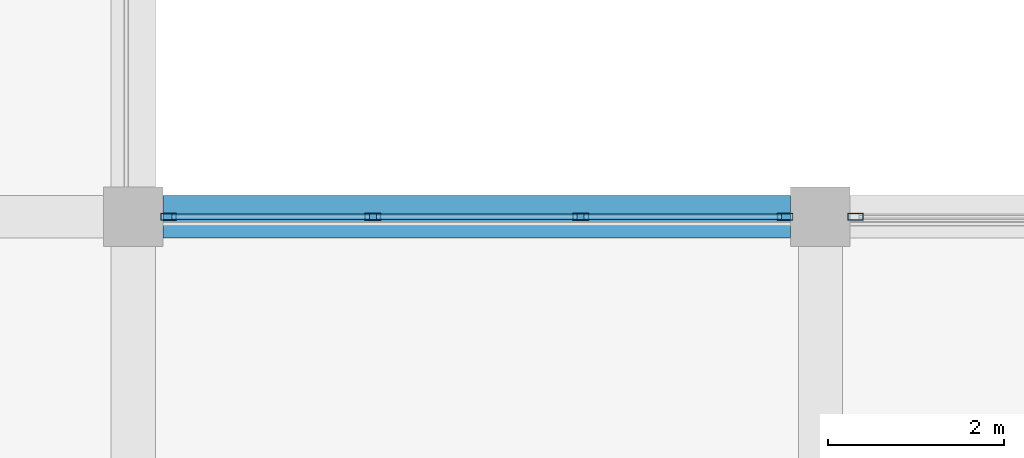
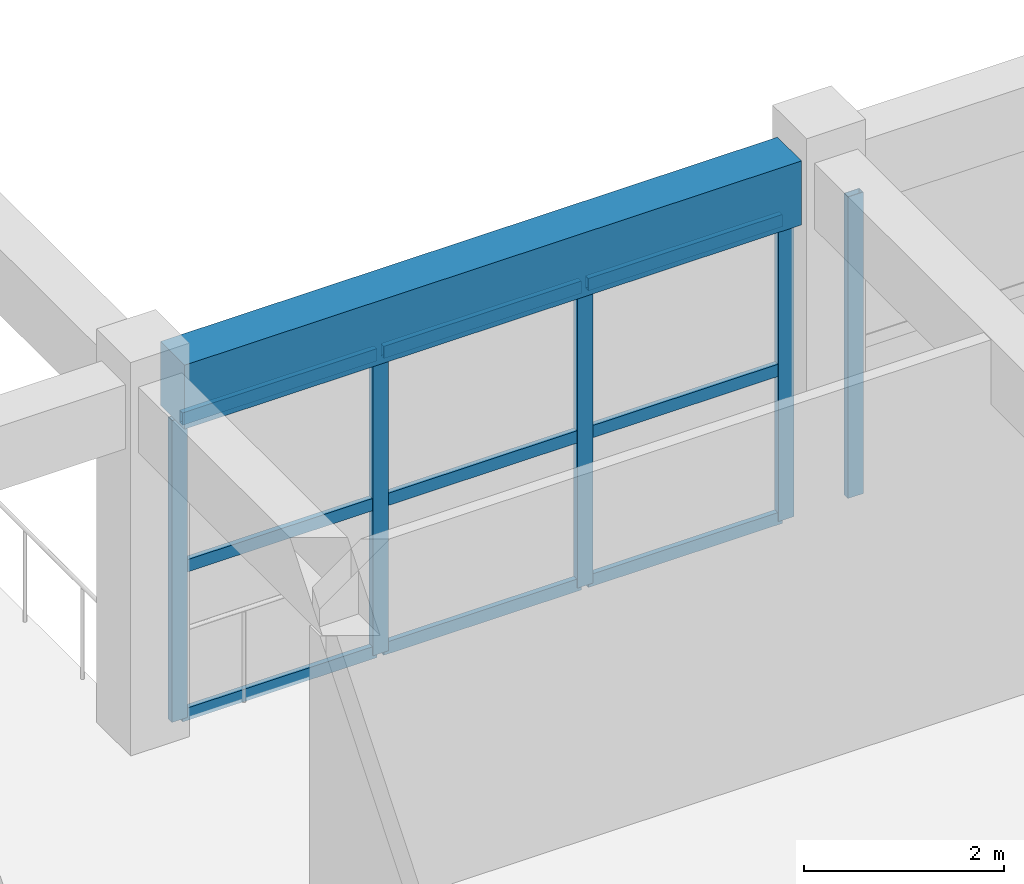
# One storey, part 100 of 175: 14 members, 1 beam, 2 elements without a shape of their own.
"""IFC4 building model written with IfcOpenShell, lengths in metres."""

from ifc_helpers import new_model, si_unit, direction, frame, origin, origin_2d, place, context, subcontext, project, spatial, rectangle, hollow_rectangle, extrude, material, layer, layer_set, material_profile, profile_set, type_object, element, aggregate, save


model = new_model("IFC4")

# Units and contexts
model_context = context("Model", 3, precision=1e-05, world=origin(), true_north=direction((0.0, 1.0)))
body_context = subcontext(model_context, "Body", "Model", "MODEL_VIEW")
ifc_project = project(units=[si_unit("LENGTHUNIT", "METRE"), si_unit("AREAUNIT", "SQUARE_METRE"), si_unit("VOLUMEUNIT", "CUBIC_METRE"), si_unit("PLANEANGLEUNIT", "RADIAN"), si_unit("MASSUNIT", "GRAM", prefix="KILO")], contexts=[model_context])

# Site, building, storey
site_placement = place(None, origin())
site = spatial("IfcSite", under=ifc_project, at=site_placement, CompositionType="ELEMENT")
building_placement = place(site_placement, origin())
building = spatial("IfcBuilding", under=site, at=building_placement, Name="Zizhar Promenade General Hospital", CompositionType="ELEMENT")
storey_placement = place(building_placement, frame((0.0, 0.0, 4.800048828125)))
storey = spatial("IfcBuildingStorey", under=building, at=storey_placement, Name="L01", CompositionType="ELEMENT", Elevation=4.800048828125)

# Beam
ifc_material_1 = material(Name="Concrete C35/45", Category="concrete")
ifc_material_profile_1 = material_profile(ifc_material_1, rectangle(XDim=0.47998046875, YDim=0.780029296875, at=origin_2d()))
ifc_profile_set_1 = profile_set([ifc_material_profile_1], Name="Concrete C35/45")
beam_type = type_object("IfcBeamType", Name="BM-RC-480x780", PredefinedType="BEAM", material=ifc_profile_set_1)
beam_placement = place(storey_placement, frame((148.5400390625, 67.199951171875, 4.079833984375), z_axis=(1.0, 0.0, 0.0), x_axis=(0.0, 1.0, 0.0)))
element("IfcBeam", 1, at=beam_placement, inside=storey, type_object=beam_type, Name="Grid Beam X L01 (19-8)", PredefinedType="BEAM", context=body_context, shape_type="SweptSolid", body=[
    extrude(rectangle(XDim=0.47998046875, YDim=0.780029296875, at=origin_2d()), origin(), (0.0, 0.0, 1.0), 7.119873046875),
])

# Curtain wall, members
ifc_material_2 = material(Name="Anodised aluminium 6063-T6 and low-E glass", Category="aluminium")
ifc_layer = layer(ifc_material_2, 0.159912109375)
ifc_layer_set = layer_set([ifc_layer], Name="Anodised aluminium 6063-T6 and low-E glass")
curtain_wall_type = type_object("IfcCurtainWallType", Name="CW-CLN-CRT", PredefinedType="NOTDEFINED", material=ifc_layer_set)
curtain_wall_1_placement = place(storey_placement, origin())
curtain_wall_1 = element("IfcCurtainWall", 2, at=curtain_wall_1_placement, inside=storey, type_object=curtain_wall_type, Name="East Light Court South Glazing L01-19", PredefinedType="NOTDEFINED")
ifc_material_3 = material(Name="Anodised aluminium 6063-T6", Category="aluminium")
ifc_material_profile_2 = material_profile(ifc_material_3, hollow_rectangle(XDim=0.080078125, YDim=0.179931640625, WallThickness=0.0048828125, at=origin_2d()))
ifc_profile_set_2 = profile_set([ifc_material_profile_2], Name="Anodised aluminium 6063-T6")
member_type_1 = type_object("IfcMemberType", Name="CWM-ALU-180x80", PredefinedType="MULLION", material=ifc_profile_set_2)
member_1_placement = place(storey_placement, frame((148.60009765625, 67.199951171875, 0.0), z_axis=(0.0, 0.0, 1.0), x_axis=(0.0, 1.0, 0.0)))
member_1 = element("IfcMember", 3, at=member_1_placement, type_object=member_type_1, Name="CW-10 mullion 1", PredefinedType="MULLION", context=body_context, shape_type="SweptSolid", body=[
    extrude(hollow_rectangle(XDim=0.080078125, YDim=0.179931640625, WallThickness=0.0048828125, at=origin_2d()), origin(), (0.0, 0.0, 1.0), 3.679931640625),
])
member_2_placement = place(storey_placement, frame((150.919921875, 67.199951171875, 0.0), z_axis=(0.0, 0.0, 1.0), x_axis=(0.0, 1.0, 0.0)))
member_2 = element("IfcMember", 4, at=member_2_placement, type_object=member_type_1, Name="CW-10 mullion 2", PredefinedType="MULLION", context=body_context, shape_type="SweptSolid", body=[
    extrude(hollow_rectangle(XDim=0.080078125, YDim=0.179931640625, WallThickness=0.0048828125, at=origin_2d()), origin(), (0.0, 0.0, 1.0), 3.679931640625),
])
member_3_placement = place(storey_placement, frame((153.280029296875, 67.199951171875, 0.0), z_axis=(0.0, 0.0, 1.0), x_axis=(0.0, 1.0, 0.0)))
member_3 = element("IfcMember", 5, at=member_3_placement, type_object=member_type_1, Name="CW-10 mullion 3", PredefinedType="MULLION", context=body_context, shape_type="SweptSolid", body=[
    extrude(hollow_rectangle(XDim=0.080078125, YDim=0.179931640625, WallThickness=0.0048828125, at=origin_2d()), origin(), (0.0, 0.0, 1.0), 3.679931640625),
])
member_4_placement = place(storey_placement, frame((155.60009765625, 67.199951171875, 0.0), z_axis=(0.0, 0.0, 1.0), x_axis=(0.0, 1.0, 0.0)))
member_4 = element("IfcMember", 6, at=member_4_placement, type_object=member_type_1, Name="CW-10 mullion 4", PredefinedType="MULLION", context=body_context, shape_type="SweptSolid", body=[
    extrude(hollow_rectangle(XDim=0.080078125, YDim=0.179931640625, WallThickness=0.0048828125, at=origin_2d()), origin(), (0.0, 0.0, 1.0), 3.679931640625),
])

# Curtain wall, member
curtain_wall_2_placement = place(storey_placement, origin())
curtain_wall_2 = element("IfcCurtainWall", 7, at=curtain_wall_2_placement, inside=storey, type_object=curtain_wall_type, Name="East Light Court South Glazing L01-20", PredefinedType="NOTDEFINED")
member_5_placement = place(storey_placement, frame((156.39990234375, 67.199951171875, 0.0), z_axis=(0.0, 0.0, 1.0), x_axis=(0.0, 1.0, 0.0)))
member_5 = element("IfcMember", 8, at=member_5_placement, type_object=member_type_1, Name="CW-10 mullion 1", PredefinedType="MULLION", context=body_context, shape_type="SweptSolid", body=[
    extrude(hollow_rectangle(XDim=0.080078125, YDim=0.179931640625, WallThickness=0.0048828125, at=origin_2d()), origin(), (0.0, 0.0, 1.0), 3.679931640625),
])
aggregate(curtain_wall_2, [member_5])

# Member
ifc_material_4 = material(Name="Anodised aluminium 6063-T6", Category="aluminium")
ifc_material_profile_3 = material_profile(ifc_material_4, hollow_rectangle(XDim=0.06005859375, YDim=0.14990234375, WallThickness=0.00390625, at=origin_2d()))
ifc_profile_set_3 = profile_set([ifc_material_profile_3], Name="Anodised aluminium 6063-T6")
member_type_2 = type_object("IfcMemberType", Name="CWT-ALU-150x60", PredefinedType="USERDEFINED", material=ifc_profile_set_3)
member_6_placement = place(storey_placement, frame((148.639892578125, 67.199951171875, 0.030029296875), z_axis=(1.0, 0.0, 0.0), x_axis=(0.0, 1.0, 0.0)))
member_6 = element("IfcMember", 9, at=member_6_placement, type_object=member_type_2, Name="CW-10 transom 1.1", ObjectType="TRANSOM", PredefinedType="USERDEFINED", context=body_context, shape_type="SweptSolid", body=[
    extrude(hollow_rectangle(XDim=0.06005859375, YDim=0.14990234375, WallThickness=0.00390625, at=origin_2d()), origin(), (0.0, 0.0, 1.0), 2.239990234375),
])

member_7_placement = place(storey_placement, frame((148.639892578125, 67.199951171875, 1.83984375), z_axis=(1.0, 0.0, 0.0), x_axis=(0.0, 1.0, 0.0)))
member_7 = element("IfcMember", 10, at=member_7_placement, type_object=member_type_2, Name="CW-10 transom 1.2", ObjectType="TRANSOM", PredefinedType="USERDEFINED", context=body_context, shape_type="SweptSolid", body=[
    extrude(hollow_rectangle(XDim=0.06005859375, YDim=0.14990234375, WallThickness=0.00390625, at=origin_2d()), origin(), (0.0, 0.0, 1.0), 2.239990234375),
])

member_8_placement = place(storey_placement, frame((148.639892578125, 67.199951171875, 3.64990234375), z_axis=(1.0, 0.0, 0.0), x_axis=(0.0, 1.0, 0.0)))
member_8 = element("IfcMember", 11, at=member_8_placement, type_object=member_type_2, Name="CW-10 transom 1.3", ObjectType="TRANSOM", PredefinedType="USERDEFINED", context=body_context, shape_type="SweptSolid", body=[
    extrude(hollow_rectangle(XDim=0.06005859375, YDim=0.14990234375, WallThickness=0.00390625, at=origin_2d()), origin(), (0.0, 0.0, 1.0), 2.239990234375),
])

member_9_placement = place(storey_placement, frame((150.9599609375, 67.199951171875, 0.030029296875), z_axis=(1.0, 0.0, 0.0), x_axis=(0.0, 1.0, 0.0)))
member_9 = element("IfcMember", 12, at=member_9_placement, type_object=member_type_2, Name="CW-10 transom 2.1", ObjectType="TRANSOM", PredefinedType="USERDEFINED", context=body_context, shape_type="SweptSolid", body=[
    extrude(hollow_rectangle(XDim=0.06005859375, YDim=0.14990234375, WallThickness=0.00390625, at=origin_2d()), origin(), (0.0, 0.0, 1.0), 2.280029296875),
])

member_10_placement = place(storey_placement, frame((150.9599609375, 67.199951171875, 1.83984375), z_axis=(1.0, 0.0, 0.0), x_axis=(0.0, 1.0, 0.0)))
member_10 = element("IfcMember", 13, at=member_10_placement, type_object=member_type_2, Name="CW-10 transom 2.2", ObjectType="TRANSOM", PredefinedType="USERDEFINED", context=body_context, shape_type="SweptSolid", body=[
    extrude(hollow_rectangle(XDim=0.06005859375, YDim=0.14990234375, WallThickness=0.00390625, at=origin_2d()), origin(), (0.0, 0.0, 1.0), 2.280029296875),
])

member_11_placement = place(storey_placement, frame((150.9599609375, 67.199951171875, 3.64990234375), z_axis=(1.0, 0.0, 0.0), x_axis=(0.0, 1.0, 0.0)))
member_11 = element("IfcMember", 14, at=member_11_placement, type_object=member_type_2, Name="CW-10 transom 2.3", ObjectType="TRANSOM", PredefinedType="USERDEFINED", context=body_context, shape_type="SweptSolid", body=[
    extrude(hollow_rectangle(XDim=0.06005859375, YDim=0.14990234375, WallThickness=0.00390625, at=origin_2d()), origin(), (0.0, 0.0, 1.0), 2.280029296875),
])

member_12_placement = place(storey_placement, frame((153.320068359375, 67.199951171875, 0.030029296875), z_axis=(1.0, 0.0, 0.0), x_axis=(0.0, 1.0, 0.0)))
member_12 = element("IfcMember", 15, at=member_12_placement, type_object=member_type_2, Name="CW-10 transom 3.1", ObjectType="TRANSOM", PredefinedType="USERDEFINED", context=body_context, shape_type="SweptSolid", body=[
    extrude(hollow_rectangle(XDim=0.06005859375, YDim=0.14990234375, WallThickness=0.00390625, at=origin_2d()), origin(), (0.0, 0.0, 1.0), 2.239990234375),
])

member_13_placement = place(storey_placement, frame((153.320068359375, 67.199951171875, 1.83984375), z_axis=(1.0, 0.0, 0.0), x_axis=(0.0, 1.0, 0.0)))
member_13 = element("IfcMember", 16, at=member_13_placement, type_object=member_type_2, Name="CW-10 transom 3.2", ObjectType="TRANSOM", PredefinedType="USERDEFINED", context=body_context, shape_type="SweptSolid", body=[
    extrude(hollow_rectangle(XDim=0.06005859375, YDim=0.14990234375, WallThickness=0.00390625, at=origin_2d()), origin(), (0.0, 0.0, 1.0), 2.239990234375),
])

member_14_placement = place(storey_placement, frame((153.320068359375, 67.199951171875, 3.64990234375), z_axis=(1.0, 0.0, 0.0), x_axis=(0.0, 1.0, 0.0)))
member_14 = element("IfcMember", 17, at=member_14_placement, type_object=member_type_2, Name="CW-10 transom 3.3", ObjectType="TRANSOM", PredefinedType="USERDEFINED", context=body_context, shape_type="SweptSolid", body=[
    extrude(hollow_rectangle(XDim=0.06005859375, YDim=0.14990234375, WallThickness=0.00390625, at=origin_2d()), origin(), (0.0, 0.0, 1.0), 2.239990234375),
])

aggregate(curtain_wall_1, [member_1, member_2, member_3, member_4, member_6, member_7, member_8, member_9, member_10, member_11, member_12, member_13, member_14])

save(model, "model.ifc")
